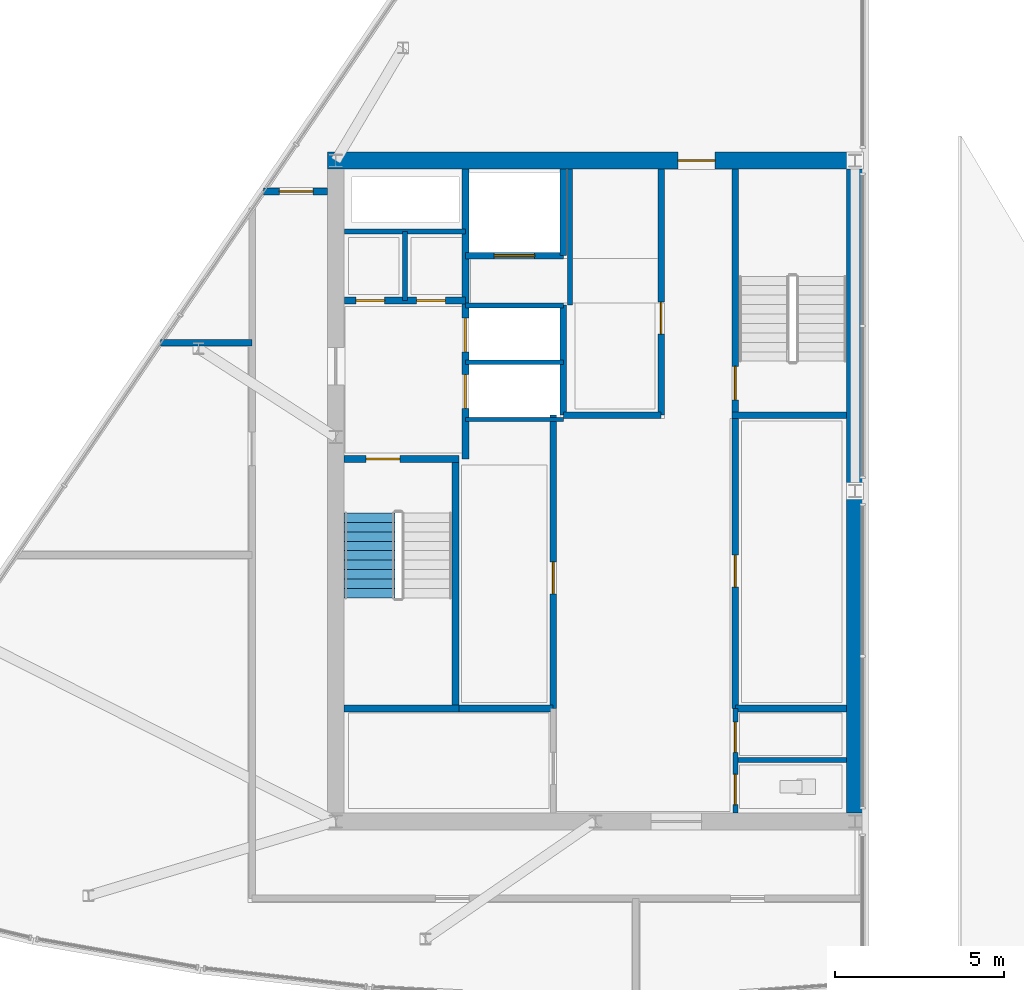
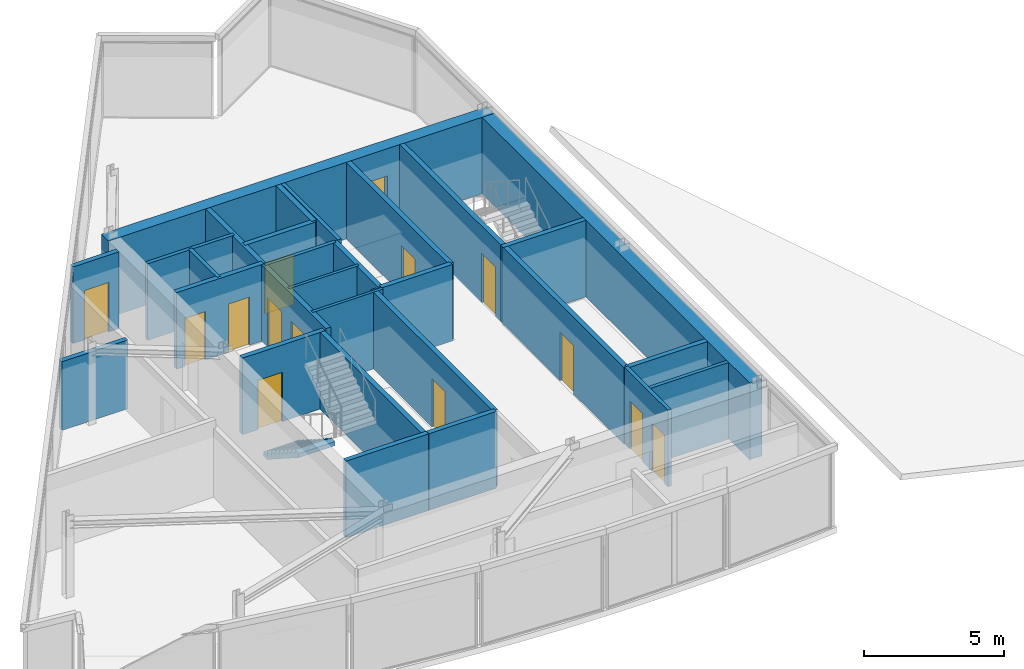
# One storey, part 5 of 10: 28 walls, 14 doors, 1 stair flight, 14 openings, 1 element without a shape of its own.
"""IFC4 building model written with IfcOpenShell, lengths in metres."""

from ifc_helpers import new_model, si_unit, direction, frame, frame_2d, origin, place, context, subcontext, project, spatial, polyline, rectangle, outline, extrude, material, layer, layer_set, type_object, element, fill, aggregate, save


model = new_model("IFC4")

# Units and contexts
model_context = context("Model", 3, precision=1e-05, world=origin(), true_north=direction((0.0, 1.0)))
body_context = subcontext(model_context, "Body", "Model", "MODEL_VIEW")
ifc_project = project(units=[si_unit("LENGTHUNIT", "METRE"), si_unit("AREAUNIT", "SQUARE_METRE"), si_unit("VOLUMEUNIT", "CUBIC_METRE"), si_unit("PLANEANGLEUNIT", "RADIAN"), si_unit("MASSUNIT", "GRAM", prefix="KILO")], contexts=[model_context])

# Site, building, storey
site_placement = place(None, origin())
site = spatial("IfcSite", under=ifc_project, at=site_placement, CompositionType="ELEMENT")
building_placement = place(site_placement, origin())
building = spatial("IfcBuilding", under=site, at=building_placement, Name="Savorim Split Tower", CompositionType="ELEMENT")
storey_placement = place(building_placement, frame((0.0, 0.0, 315.60009765625)))
storey = spatial("IfcBuildingStorey", under=building, at=storey_placement, Name="Crown L84 Plant", CompositionType="ELEMENT", Elevation=315.60009765625)

# Wall, opening, door
ifc_material_1 = material(Name="Concrete C60/75", Category="concrete")
ifc_layer_1 = layer(ifc_material_1, 0.5)
ifc_layer_set_1 = layer_set([ifc_layer_1], Name="WAL-COR-SH500")
wall_type_1 = type_object("IfcWallType", Name="WAL-COR-SH500", PredefinedType="SHEAR", material=ifc_layer_set_1)
wall_1_placement = place(storey_placement, frame((7.949951171875, 10.199951171875, 0.0), z_axis=(0.0, 0.0, 1.0), x_axis=(-1.0, 0.0, 0.0)))
wall_1 = element("IfcWall", 1, at=wall_1_placement, inside=storey, type_object=wall_type_1, Name="Crown L84 Plant Offset Core North Shear Wall", PredefinedType="SHEAR", context=body_context, shape_type="SweptSolid", body=[
    extrude(rectangle(XDim=15.89990234375, YDim=0.5, at=frame_2d((7.949951171875, 0.0))), origin(), (0.0, 0.0, 1.0), 3.33984375),
])
opening_1_placement = place(wall_1_placement, frame((4.39990234375, 0.0, 0.0)))
opening_1 = element("IfcOpeningElement", 2, at=opening_1_placement, cuts=wall_1, Name="Opening DI-03", PredefinedType="OPENING", context=body_context, shape_type="SweptSolid", body=[
    extrude(rectangle(XDim=1.10009765625, YDim=2.14990234375, at=frame_2d((0.550048828125, 1.074951171875))), frame((0.0, 0.260009765625, 0.0), z_axis=(0.0, -1.0, 0.0), x_axis=(1.0, 0.0, 0.0)), (0.0, 0.0, 1.0), 0.52001953125),
])
ifc_material_2 = material(Name="Timber Fire Door Leaf", Category="wood")
door_type_1 = type_object("IfcDoorType", Name="DOR-FIR-1100", OperationType="NOTDEFINED", PredefinedType="DOOR", material=ifc_material_2)
door_1_placement = place(opening_1_placement, origin())
door_1 = element("IfcDoor", 3, at=door_1_placement, inside=storey, type_object=door_type_1, Name="DOR-Crown-L84-Plant-COR-NLOB - Crown L84 Plant North Corridor Lobby Fire Door", OperationType="SINGLE_SWING_LEFT", OverallHeight=2.14990234375, OverallWidth=1.10009765625, PredefinedType="DOOR", context=body_context, shape_type="SweptSolid", body=[
    extrude(rectangle(XDim=1.10009765625, YDim=2.14990234375, at=frame_2d((0.550048828125, 1.074951171875))), frame((0.0, 0.02490234375, 0.0), z_axis=(0.0, -1.0, 0.0), x_axis=(1.0, 0.0, 0.0)), (0.0, 0.0, 1.0), 0.050048828125),
])
fill(opening_1, door_1)

# Wall
wall_2_placement = place(storey_placement, frame((7.699951171875, 9.949951171875, 0.0), z_axis=(0.0, 0.0, 1.0), x_axis=(0.0, -1.0, 0.0)))
element("IfcWall", 4, at=wall_2_placement, inside=storey, type_object=wall_type_1, Name="Crown L84 Plant Offset Core East Shear Wall", PredefinedType="SHEAR", context=body_context, shape_type="SweptSolid", body=[
    extrude(rectangle(XDim=19.099853515625, YDim=0.5, at=frame_2d((9.5498046875, 0.0))), origin(), (0.0, 0.0, 1.0), 3.33984375),
])

# Wall, opening, door
ifc_material_3 = material(Name="Concrete C50/60", Category="concrete")
ifc_layer_2 = layer(ifc_material_3, 0.199951171875)
ifc_layer_set_2 = layer_set([ifc_layer_2], Name="WAL-INT-RC200")
wall_type_2 = type_object("IfcWallType", Name="WAL-INT-RC200", PredefinedType="SOLIDWALL", material=ifc_layer_set_2)
wall_3_placement = place(storey_placement, frame((-7.449951171875, 1.35009765625, 0.0), z_axis=(0.0, 0.0, 1.0), x_axis=(1.0, 0.0, 0.0)))
wall_3 = element("IfcWall", 5, at=wall_3_placement, inside=storey, type_object=wall_type_2, Name="Crown L84 Plant Structural Shaft Wall W-Crown-L84-Plant-CR01", PredefinedType="SOLIDWALL", context=body_context, shape_type="SweptSolid", body=[
    extrude(rectangle(XDim=3.39990234375, YDim=0.199951171875, at=frame_2d((1.699951171875, 0.0))), origin(), (0.0, 0.0, 1.0), 3.33984375),
])
opening_2_placement = place(wall_3_placement, frame((0.64990234375, 0.0, 0.0)))
opening_2 = element("IfcOpeningElement", 6, at=opening_2_placement, cuts=wall_3, Name="Opening DI-04", PredefinedType="OPENING", context=body_context, shape_type="SweptSolid", body=[
    extrude(rectangle(XDim=1.0, YDim=2.14990234375, at=frame_2d((0.5, 1.074951171875))), frame((0.0, 0.10986328125, 0.0), z_axis=(0.0, -1.0, 0.0), x_axis=(1.0, 0.0, 0.0)), (0.0, 0.0, 1.0), 0.219970703125),
])
door_type_2 = type_object("IfcDoorType", Name="DOR-FIR-1000", OperationType="NOTDEFINED", PredefinedType="DOOR", material=ifc_material_2)
door_2_placement = place(opening_2_placement, origin())
door_2 = element("IfcDoor", 7, at=door_2_placement, inside=storey, type_object=door_type_2, Name="DR-Crown-L84-Plant-ST1 - Crown L84 Plant Stair ST-1 Enclosure Door", OperationType="SINGLE_SWING_LEFT", OverallHeight=2.14990234375, OverallWidth=1.0, PredefinedType="DOOR", context=body_context, shape_type="SweptSolid", body=[
    extrude(rectangle(XDim=1.0, YDim=2.14990234375, at=frame_2d((0.5, 1.074951171875))), frame((0.0, 0.02490234375, 0.0), z_axis=(0.0, -1.0, 0.0), x_axis=(1.0, 0.0, 0.0)), (0.0, 0.0, 1.0), 0.050048828125),
])
fill(opening_2, door_2)

# Wall
wall_4_placement = place(storey_placement, frame((-4.14990234375, -5.949951171875, 0.0), z_axis=(0.0, 0.0, 1.0), x_axis=(0.0, 1.0, 0.0)))
element("IfcWall", 8, at=wall_4_placement, inside=storey, type_object=wall_type_2, Name="Crown L84 Plant Structural Shaft Wall W-Crown-L84-Plant-CR02", PredefinedType="SOLIDWALL", context=body_context, shape_type="SweptSolid", body=[
    extrude(rectangle(XDim=7.199951171875, YDim=0.199951171875, at=frame_2d((3.60009765625, 0.0))), origin(), (0.0, 0.0, 1.0), 3.33984375),
])

# Wall, openings, doors
wall_5_placement = place(storey_placement, frame((-3.85009765625, 1.35009765625, 0.0), z_axis=(0.0, 0.0, 1.0), x_axis=(0.0, 1.0, 0.0)))
wall_5 = element("IfcWall", 9, at=wall_5_placement, inside=storey, type_object=wall_type_2, Name="Crown L84 Plant Partition W-Crown-L84-Plant-CR03", PredefinedType="SOLIDWALL", context=body_context, shape_type="SweptSolid", body=[
    extrude(rectangle(XDim=8.594970703125, YDim=0.199951171875, at=frame_2d((4.29736328125, 0.0))), origin(), (0.0, 0.0, 1.0), 3.33984375),
])
opening_3_placement = place(wall_5_placement, frame((1.5, 0.0, 0.0)))
opening_3 = element("IfcOpeningElement", 10, at=opening_3_placement, cuts=wall_5, Name="Opening LD-FFL", PredefinedType="OPENING", context=body_context, shape_type="SweptSolid", body=[
    extrude(rectangle(XDim=1.0, YDim=2.14990234375, at=frame_2d((0.5, 1.074951171875))), frame((0.0, 0.10986328125, 0.0), z_axis=(0.0, -1.0, 0.0), x_axis=(1.0, 0.0, 0.0)), (0.0, 0.0, 1.0), 0.219970703125),
])
opening_4_placement = place(wall_5_placement, frame((3.179931640625, 0.0, 0.0)))
opening_4 = element("IfcOpeningElement", 11, at=opening_4_placement, cuts=wall_5, Name="Opening LD-FFL", PredefinedType="OPENING", context=body_context, shape_type="SweptSolid", body=[
    extrude(rectangle(XDim=1.0, YDim=2.14990234375, at=frame_2d((0.5, 1.074951171875))), frame((0.0, 0.10986328125, 0.0), z_axis=(0.0, -1.0, 0.0), x_axis=(1.0, 0.0, 0.0)), (0.0, 0.0, 1.0), 0.219970703125),
])
ifc_material_4 = material(Name="Charcoal Anodised Aluminium", Category="aluminium")
door_type_3 = type_object("IfcDoorType", Name="DOR-SLD-LD1000", OperationType="NOTDEFINED", PredefinedType="DOOR", material=ifc_material_4)
door_3_placement = place(opening_3_placement, origin())
door_3 = element("IfcDoor", 12, at=door_3_placement, inside=storey, type_object=door_type_3, Name="DR-Crown-L84-Plant-LD-FFL1 - Crown L84 Plant Firefighting Lift FFL-1 Sliding Landing Door", OperationType="DOUBLE_DOOR_SLIDING", OverallHeight=2.14990234375, OverallWidth=1.0, PredefinedType="DOOR", context=body_context, shape_type="SweptSolid", body=[
    extrude(rectangle(XDim=1.0, YDim=2.14990234375, at=frame_2d((0.5, 1.074951171875))), frame((0.0, 0.02490234375, 0.0), z_axis=(0.0, -1.0, 0.0), x_axis=(1.0, 0.0, 0.0)), (0.0, 0.0, 1.0), 0.050048828125),
])
fill(opening_3, door_3)
door_4_placement = place(opening_4_placement, origin())
door_4 = element("IfcDoor", 13, at=door_4_placement, inside=storey, type_object=door_type_3, Name="DR-Crown-L84-Plant-LD-FFL2 - Crown L84 Plant Firefighting Lift FFL-2 Sliding Landing Door", OperationType="DOUBLE_DOOR_SLIDING", OverallHeight=2.14990234375, OverallWidth=1.0, PredefinedType="DOOR", context=body_context, shape_type="SweptSolid", body=[
    extrude(rectangle(XDim=1.0, YDim=2.14990234375, at=frame_2d((0.5, 1.074951171875))), frame((0.0, 0.02490234375, 0.0), z_axis=(0.0, -1.0, 0.0), x_axis=(1.0, 0.0, 0.0)), (0.0, 0.0, 1.0), 0.050048828125),
])
fill(opening_4, door_4)

wall_6_placement = place(storey_placement, frame((-7.445068359375, 6.050048828125, 0.0), z_axis=(0.0, 0.0, 1.0), x_axis=(1.0, 0.0, 0.0)))
wall_6 = element("IfcWall", 14, at=wall_6_placement, inside=storey, type_object=wall_type_2, Name="Crown L84 Plant Partition W-Crown-L84-Plant-CR04", PredefinedType="SOLIDWALL", context=body_context, shape_type="SweptSolid", body=[
    extrude(rectangle(XDim=3.594970703125, YDim=0.199951171875, at=frame_2d((1.79736328125, 0.0))), origin(), (0.0, 0.0, 1.0), 3.33984375),
])
opening_5_placement = place(wall_6_placement, frame((0.344970703125, 0.0, 0.0)))
opening_5 = element("IfcOpeningElement", 15, at=opening_5_placement, cuts=wall_6, Name="Opening DI-12", PredefinedType="OPENING", context=body_context, shape_type="SweptSolid", body=[
    extrude(rectangle(XDim=0.85009765625, YDim=2.10009765625, at=frame_2d((0.425048828125, 1.050048828125))), frame((0.0, 0.10986328125, 0.0), z_axis=(0.0, -1.0, 0.0), x_axis=(1.0, 0.0, 0.0)), (0.0, 0.0, 1.0), 0.219970703125),
])
opening_6_placement = place(wall_6_placement, frame((2.14501953125, 0.0, 0.0)))
opening_6 = element("IfcOpeningElement", 16, at=opening_6_placement, cuts=wall_6, Name="Opening DI-12", PredefinedType="OPENING", context=body_context, shape_type="SweptSolid", body=[
    extrude(rectangle(XDim=0.85009765625, YDim=2.10009765625, at=frame_2d((0.425048828125, 1.050048828125))), frame((0.0, 0.10986328125, 0.0), z_axis=(0.0, -1.0, 0.0), x_axis=(1.0, 0.0, 0.0)), (0.0, 0.0, 1.0), 0.219970703125),
])
ifc_material_5 = material(Name="Galvanised Painted Steel Balustrade", Category="steel")
door_type_4 = type_object("IfcDoorType", Name="DOR-RIS-850", OperationType="NOTDEFINED", PredefinedType="DOOR", material=ifc_material_5)
door_5_placement = place(opening_5_placement, origin())
door_5 = element("IfcDoor", 17, at=door_5_placement, inside=storey, type_object=door_type_4, Name="DR-Crown-L84-Plant-ELR - Crown L84 Plant Electrical Riser Access Door", OperationType="SINGLE_SWING_RIGHT", OverallHeight=2.10009765625, OverallWidth=0.85009765625, PredefinedType="DOOR", context=body_context, shape_type="SweptSolid", body=[
    extrude(rectangle(XDim=0.85009765625, YDim=2.10009765625, at=frame_2d((0.425048828125, 1.050048828125))), frame((0.0, 0.02490234375, 0.0), z_axis=(0.0, -1.0, 0.0), x_axis=(1.0, 0.0, 0.0)), (0.0, 0.0, 1.0), 0.050048828125),
])
fill(opening_5, door_5)
door_6_placement = place(opening_6_placement, origin())
door_6 = element("IfcDoor", 18, at=door_6_placement, inside=storey, type_object=door_type_4, Name="DR-Crown-L84-Plant-TLR - Crown L84 Plant Telecom Riser Access Door", OperationType="SINGLE_SWING_LEFT", OverallHeight=2.10009765625, OverallWidth=0.85009765625, PredefinedType="DOOR", context=body_context, shape_type="SweptSolid", body=[
    extrude(rectangle(XDim=0.85009765625, YDim=2.10009765625, at=frame_2d((0.425048828125, 1.050048828125))), frame((0.0, 0.02490234375, 0.0), z_axis=(0.0, -1.0, 0.0), x_axis=(1.0, 0.0, 0.0)), (0.0, 0.0, 1.0), 0.050048828125),
])
fill(opening_6, door_6)

# Wall, opening, door
wall_7_placement = place(storey_placement, frame((4.14990234375, 2.75, 0.0), z_axis=(0.0, 0.0, 1.0), x_axis=(0.0, 1.0, 0.0)))
wall_7 = element("IfcWall", 19, at=wall_7_placement, inside=storey, type_object=wall_type_2, Name="Crown L84 Plant Structural Shaft Wall W-Crown-L84-Plant-CR07", PredefinedType="SOLIDWALL", context=body_context, shape_type="SweptSolid", body=[
    extrude(rectangle(XDim=7.199951171875, YDim=0.199951171875, at=frame_2d((3.60009765625, 0.0))), origin(), (0.0, 0.0, 1.0), 3.33984375),
])
opening_7_placement = place(wall_7_placement, frame((0.35009765625, 0.0, 0.0)))
opening_7 = element("IfcOpeningElement", 20, at=opening_7_placement, cuts=wall_7, Name="Opening DI-04", PredefinedType="OPENING", context=body_context, shape_type="SweptSolid", body=[
    extrude(rectangle(XDim=1.0, YDim=2.14990234375, at=frame_2d((0.5, 1.074951171875))), frame((0.0, 0.10986328125, 0.0), z_axis=(0.0, -1.0, 0.0), x_axis=(1.0, 0.0, 0.0)), (0.0, 0.0, 1.0), 0.219970703125),
])
door_7_placement = place(opening_7_placement, origin())
door_7 = element("IfcDoor", 21, at=door_7_placement, inside=storey, type_object=door_type_2, Name="DR-Crown-L84-Plant-ST2 - Crown L84 Plant Stair ST-2 Enclosure Door", OperationType="SINGLE_SWING_RIGHT", OverallHeight=2.14990234375, OverallWidth=1.0, PredefinedType="DOOR", context=body_context, shape_type="SweptSolid", body=[
    extrude(rectangle(XDim=1.0, YDim=2.14990234375, at=frame_2d((0.5, 1.074951171875))), frame((0.0, 0.02490234375, 0.0), z_axis=(0.0, -1.0, 0.0), x_axis=(1.0, 0.0, 0.0)), (0.0, 0.0, 1.0), 0.050048828125),
])
fill(opening_7, door_7)

# Walls
wall_8_placement = place(storey_placement, frame((4.050048828125, 2.64990234375, 0.0), z_axis=(0.0, 0.0, 1.0), x_axis=(1.0, 0.0, 0.0)))
element("IfcWall", 22, at=wall_8_placement, inside=storey, type_object=wall_type_2, Name="Crown L84 Plant Structural Shaft Wall W-Crown-L84-Plant-CR08", PredefinedType="SOLIDWALL", context=body_context, shape_type="SweptSolid", body=[
    extrude(rectangle(XDim=3.39990234375, YDim=0.199951171875, at=frame_2d((1.699951171875, 0.0))), origin(), (0.0, 0.0, 1.0), 3.33984375),
])
wall_9_placement = place(storey_placement, frame((-0.949951171875, 2.64990234375, 0.0), z_axis=(0.0, 0.0, 1.0), x_axis=(0.0, 1.0, 0.0)))
element("IfcWall", 23, at=wall_9_placement, inside=storey, type_object=wall_type_2, Name="Crown L84 Plant Partition W-Crown-L84-Plant-FFLW", PredefinedType="SOLIDWALL", context=body_context, shape_type="SweptSolid", body=[
    extrude(rectangle(XDim=3.27001953125, YDim=0.199951171875, at=frame_2d((1.635009765625, 0.0))), origin(), (0.0, 0.0, 1.0), 3.33984375),
])

# Wall, opening, door
wall_10_placement = place(storey_placement, frame((-3.85009765625, 7.3798828125, 0.0), z_axis=(0.0, 0.0, 1.0), x_axis=(1.0, 0.0, 0.0)))
wall_10 = element("IfcWall", 24, at=wall_10_placement, inside=storey, type_object=wall_type_2, Name="Crown L84 Plant Partition W-Crown-L84-Plant-SVLS", PredefinedType="SOLIDWALL", context=body_context, shape_type="SweptSolid", body=[
    extrude(rectangle(XDim=2.900146484375, YDim=0.199951171875, at=frame_2d((1.4501953125, 0.0))), origin(), (0.0, 0.0, 1.0), 3.33984375),
])
opening_8_placement = place(wall_10_placement, frame((0.85009765625, 0.0, 0.0)))
opening_8 = element("IfcOpeningElement", 25, at=opening_8_placement, cuts=wall_10, Name="Opening LD-SV", PredefinedType="OPENING", context=body_context, shape_type="SweptSolid", body=[
    extrude(rectangle(XDim=1.199951171875, YDim=2.199951171875, at=frame_2d((0.60009765625, 1.10009765625))), frame((0.0, 0.10986328125, 0.0), z_axis=(0.0, -1.0, 0.0), x_axis=(1.0, 0.0, 0.0)), (0.0, 0.0, 1.0), 0.219970703125),
])
door_type_5 = type_object("IfcDoorType", Name="DOR-SLD-SV1200", OperationType="NOTDEFINED", PredefinedType="DOOR", material=ifc_material_4)
door_8_placement = place(opening_8_placement, origin())
door_8 = element("IfcDoor", 26, at=door_8_placement, inside=storey, type_object=door_type_5, Name="DR-Crown-L84-Plant-LD-SVL1 - Crown L84 Plant Service Lift SVL-1 Sliding Landing Door", OperationType="DOUBLE_DOOR_SLIDING", OverallHeight=2.199951171875, OverallWidth=1.199951171875, PredefinedType="DOOR", context=body_context, shape_type="SweptSolid", body=[
    extrude(rectangle(XDim=1.199951171875, YDim=2.199951171875, at=frame_2d((0.60009765625, 1.10009765625))), frame((0.0, 0.02490234375, 0.0), z_axis=(0.0, -1.0, 0.0), x_axis=(1.0, 0.0, 0.0)), (0.0, 0.0, 1.0), 0.050048828125),
])
fill(opening_8, door_8)

# Wall
wall_11_placement = place(storey_placement, frame((-0.949951171875, 7.3798828125, 0.0), z_axis=(0.0, 0.0, 1.0), x_axis=(0.0, 1.0, 0.0)))
element("IfcWall", 27, at=wall_11_placement, inside=storey, type_object=wall_type_2, Name="Crown L84 Plant Partition W-Crown-L84-Plant-SVLE", PredefinedType="SOLIDWALL", context=body_context, shape_type="SweptSolid", body=[
    extrude(rectangle(XDim=2.565185546875, YDim=0.199951171875, at=frame_2d((1.28271484375, 0.0))), origin(), (0.0, 0.0, 1.0), 3.33984375),
])

# Wall, opening, door
wall_12_placement = place(storey_placement, frame((4.14990234375, -6.050048828125, 0.0), z_axis=(0.0, 0.0, 1.0), x_axis=(0.0, 1.0, 0.0)))
wall_12 = element("IfcWall", 28, at=wall_12_placement, inside=storey, type_object=wall_type_2, Name="Crown L84 Plant Partition W-Crown-L84-Plant-B1FRONT", PredefinedType="SOLIDWALL", context=body_context, shape_type="SweptSolid", body=[
    extrude(rectangle(XDim=8.699951171875, YDim=0.199951171875, at=frame_2d((4.35009765625, 0.0))), origin(), (0.0, 0.0, 1.0), 3.33984375),
])
opening_9_placement = place(wall_12_placement, frame((3.60009765625, 0.0, 0.0)))
opening_9 = element("IfcOpeningElement", 29, at=opening_9_placement, cuts=wall_12, Name="Opening DI-05", PredefinedType="OPENING", context=body_context, shape_type="SweptSolid", body=[
    extrude(rectangle(XDim=0.949951171875, YDim=2.10009765625, at=frame_2d((0.47509765625, 1.050048828125))), frame((0.0, 0.10986328125, 0.0), z_axis=(0.0, -1.0, 0.0), x_axis=(1.0, 0.0, 0.0)), (0.0, 0.0, 1.0), 0.219970703125),
])
door_type_6 = type_object("IfcDoorType", Name="DOR-FIR-950", OperationType="NOTDEFINED", PredefinedType="DOOR", material=ifc_material_2)
door_9_placement = place(opening_9_placement, origin())
door_9 = element("IfcDoor", 30, at=door_9_placement, inside=storey, type_object=door_type_6, Name="DR-Crown-L84-Plant-B1SUB - Crown L84 Plant Core Store East Door", OperationType="SINGLE_SWING_RIGHT", OverallHeight=2.10009765625, OverallWidth=0.949951171875, PredefinedType="DOOR", context=body_context, shape_type="SweptSolid", body=[
    extrude(rectangle(XDim=0.949951171875, YDim=2.10009765625, at=frame_2d((0.47509765625, 1.050048828125))), frame((0.0, 0.02490234375, 0.0), z_axis=(0.0, -1.0, 0.0), x_axis=(1.0, 0.0, 0.0)), (0.0, 0.0, 1.0), 0.050048828125),
])
fill(opening_9, door_9)

wall_13_placement = place(storey_placement, frame((-1.25, -6.050048828125, 0.0), z_axis=(0.0, 0.0, 1.0), x_axis=(0.0, 1.0, 0.0)))
wall_13 = element("IfcWall", 31, at=wall_13_placement, inside=storey, type_object=wall_type_2, Name="Crown L84 Plant Partition W-Crown-L84-Plant-B2FRONT", PredefinedType="SOLIDWALL", context=body_context, shape_type="SweptSolid", body=[
    extrude(rectangle(XDim=8.699951171875, YDim=0.199951171875, at=frame_2d((4.35009765625, 0.0))), origin(), (0.0, 0.0, 1.0), 3.33984375),
])
opening_10_placement = place(wall_13_placement, frame((3.39990234375, 0.0, 0.0)))
opening_10 = element("IfcOpeningElement", 32, at=opening_10_placement, cuts=wall_13, Name="Opening DI-05", PredefinedType="OPENING", context=body_context, shape_type="SweptSolid", body=[
    extrude(rectangle(XDim=0.949951171875, YDim=2.10009765625, at=frame_2d((0.47509765625, 1.050048828125))), frame((0.0, 0.10986328125, 0.0), z_axis=(0.0, -1.0, 0.0), x_axis=(1.0, 0.0, 0.0)), (0.0, 0.0, 1.0), 0.219970703125),
])
door_10_placement = place(opening_10_placement, origin())
door_10 = element("IfcDoor", 33, at=door_10_placement, inside=storey, type_object=door_type_6, Name="DR-Crown-L84-Plant-B2SUB - Crown L84 Plant Core Store West Door", OperationType="SINGLE_SWING_LEFT", OverallHeight=2.10009765625, OverallWidth=0.949951171875, PredefinedType="DOOR", context=body_context, shape_type="SweptSolid", body=[
    extrude(rectangle(XDim=0.949951171875, YDim=2.10009765625, at=frame_2d((0.47509765625, 1.050048828125))), frame((0.0, 0.02490234375, 0.0), z_axis=(0.0, -1.0, 0.0), x_axis=(1.0, 0.0, 0.0)), (0.0, 0.0, 1.0), 0.050048828125),
])
fill(opening_10, door_10)

wall_14_placement = place(storey_placement, frame((1.949951171875, 2.64990234375, 0.0), z_axis=(0.0, 0.0, 1.0), x_axis=(0.0, 1.0, 0.0)))
wall_14 = element("IfcWall", 34, at=wall_14_placement, inside=storey, type_object=wall_type_2, Name="Crown L84 Plant Partition W-Crown-L84-Plant-B3FRONT", PredefinedType="SOLIDWALL", context=body_context, shape_type="SweptSolid", body=[
    extrude(rectangle(XDim=7.295166015625, YDim=0.199951171875, at=frame_2d((3.6474609375, 0.0))), origin(), (0.0, 0.0, 1.0), 3.33984375),
])
opening_11_placement = place(wall_14_placement, frame((2.39990234375, 0.0, 0.0)))
opening_11 = element("IfcOpeningElement", 35, at=opening_11_placement, cuts=wall_14, Name="Opening DI-05", PredefinedType="OPENING", context=body_context, shape_type="SweptSolid", body=[
    extrude(rectangle(XDim=0.949951171875, YDim=2.10009765625, at=frame_2d((0.47509765625, 1.050048828125))), frame((0.0, 0.10986328125, 0.0), z_axis=(0.0, -1.0, 0.0), x_axis=(1.0, 0.0, 0.0)), (0.0, 0.0, 1.0), 0.219970703125),
])
door_11_placement = place(opening_11_placement, origin())
door_11 = element("IfcDoor", 36, at=door_11_placement, inside=storey, type_object=door_type_6, Name="DR-Crown-L84-Plant-B3CRN - Crown L84 Plant Crown BMS Plant Room Door", OperationType="SINGLE_SWING_LEFT", OverallHeight=2.10009765625, OverallWidth=0.949951171875, PredefinedType="DOOR", context=body_context, shape_type="SweptSolid", body=[
    extrude(rectangle(XDim=0.949951171875, YDim=2.10009765625, at=frame_2d((0.47509765625, 1.050048828125))), frame((0.0, 0.02490234375, 0.0), z_axis=(0.0, -1.0, 0.0), x_axis=(1.0, 0.0, 0.0)), (0.0, 0.0, 1.0), 0.050048828125),
])
fill(opening_11, door_11)

# Walls
wall_15_placement = place(storey_placement, frame((-0.949951171875, 2.64990234375, 0.0), z_axis=(0.0, 0.0, 1.0), x_axis=(1.0, 0.0, 0.0)))
element("IfcWall", 37, at=wall_15_placement, inside=storey, type_object=wall_type_2, Name="Crown L84 Plant Partition W-Crown-L84-Plant-B3SOUTH", PredefinedType="SOLIDWALL", context=body_context, shape_type="SweptSolid", body=[
    extrude(rectangle(XDim=2.89990234375, YDim=0.199951171875, at=frame_2d((1.449951171875, 0.0))), origin(), (0.0, 0.0, 1.0), 3.33984375),
])
wall_16_placement = place(storey_placement, frame((-7.449951171875, -6.050048828125, 0.0), z_axis=(0.0, 0.0, 1.0), x_axis=(1.0, 0.0, 0.0)))
element("IfcWall", 38, at=wall_16_placement, inside=storey, type_object=wall_type_2, Name="Crown L84 Plant Structural Shaft Wall W-Crown-L84-Plant-KSEP-W", PredefinedType="SOLIDWALL", context=body_context, shape_type="SweptSolid", body=[
    extrude(rectangle(XDim=3.39990234375, YDim=0.199951171875, at=frame_2d((1.699951171875, 0.0))), origin(), (0.0, 0.0, 1.0), 3.33984375),
])
wall_17_placement = place(storey_placement, frame((-4.0400390625, -6.050048828125, 0.0), z_axis=(0.0, 0.0, 1.0), x_axis=(1.0, 0.0, 0.0)))
element("IfcWall", 39, at=wall_17_placement, inside=storey, type_object=wall_type_2, Name="Crown L84 Plant Partition W-Crown-L84-Plant-KSEP-W2", PredefinedType="SOLIDWALL", context=body_context, shape_type="SweptSolid", body=[
    extrude(rectangle(XDim=2.7900390625, YDim=0.199951171875, at=frame_2d((1.39501953125, 0.0))), origin(), (0.0, 0.0, 1.0), 3.33984375),
])
wall_18_placement = place(storey_placement, frame((4.14990234375, -6.050048828125, 0.0), z_axis=(0.0, 0.0, 1.0), x_axis=(1.0, 0.0, 0.0)))
element("IfcWall", 40, at=wall_18_placement, inside=storey, type_object=wall_type_2, Name="Crown L84 Plant Partition W-Crown-L84-Plant-KSEP-E", PredefinedType="SOLIDWALL", context=body_context, shape_type="SweptSolid", body=[
    extrude(rectangle(XDim=3.295166015625, YDim=0.199951171875, at=frame_2d((1.6474609375, 0.0))), origin(), (0.0, 0.0, 1.0), 3.33984375),
])

# Wall, opening, door
wall_19_placement = place(storey_placement, frame((-9.847900390625, 9.280029296875, 0.0), z_axis=(0.0, 0.0, 1.0), x_axis=(1.0, 0.0, 0.0)))
wall_19 = element("IfcWall", 41, at=wall_19_placement, inside=storey, type_object=wall_type_2, Name="Crown L84 Plant Partition W-Crown-L84-Plant-CWPC3", PredefinedType="SOLIDWALL", context=body_context, shape_type="SweptSolid", body=[
    extrude(rectangle(XDim=1.89794921875, YDim=0.199951171875, at=frame_2d((0.948974609375, 0.0))), origin(), (0.0, 0.0, 1.0), 3.33984375),
])
opening_12_placement = place(wall_19_placement, frame((0.473876953125, 0.0, 0.0)))
opening_12 = element("IfcOpeningElement", 42, at=opening_12_placement, cuts=wall_19, Name="Opening DI-04", PredefinedType="OPENING", context=body_context, shape_type="SweptSolid", body=[
    extrude(rectangle(XDim=1.0, YDim=2.14990234375, at=frame_2d((0.5, 1.074951171875))), frame((0.0, 0.10986328125, 0.0), z_axis=(0.0, -1.0, 0.0), x_axis=(1.0, 0.0, 0.0)), (0.0, 0.0, 1.0), 0.219970703125),
])
door_12_placement = place(opening_12_placement, origin())
door_12 = element("IfcDoor", 43, at=door_12_placement, inside=storey, type_object=door_type_2, Name="DR-Crown-L84-Plant-RM03 - Crown L84 Plant Booster Pump Plant Room Entry Door", OperationType="SINGLE_SWING_RIGHT", OverallHeight=2.14990234375, OverallWidth=1.0, PredefinedType="DOOR", context=body_context, shape_type="SweptSolid", body=[
    extrude(rectangle(XDim=1.0, YDim=2.14990234375, at=frame_2d((0.5, 1.074951171875))), frame((0.0, 0.02490234375, 0.0), z_axis=(0.0, -1.0, 0.0), x_axis=(1.0, 0.0, 0.0)), (0.0, 0.0, 1.0), 0.050048828125),
])
fill(opening_12, door_12)

# Walls
wall_20_placement = place(storey_placement, frame((-12.8955078125, 4.800048828125, 0.0), z_axis=(0.0, 0.0, 1.0), x_axis=(1.0, 0.0, 0.0)))
element("IfcWall", 44, at=wall_20_placement, inside=storey, type_object=wall_type_2, Name="Crown L84 Plant Partition W-Crown-L84-Plant-CDIV2", PredefinedType="SOLIDWALL", context=body_context, shape_type="SweptSolid", body=[
    extrude(rectangle(XDim=2.715576171875, YDim=0.199951171875, at=frame_2d((1.35791015625, 0.0))), origin(), (0.0, 0.0, 1.0), 2.994873046875),
])
ifc_material_6 = material(Name="Acoustic Gypsum Partition Board")
ifc_layer_3 = layer(ifc_material_6, 0.1201171875)
ifc_layer_set_3 = layer_set([ifc_layer_3], Name="WAL-PAR-120")
wall_type_3 = type_object("IfcWallType", Name="WAL-PAR-120", PredefinedType="PARTITIONING", material=ifc_layer_set_3)
for number, where, z_axis, x_axis, name in (
    (45, (-3.85009765625, 2.52001953125, 0.0), (0.0, 0.0, 1.0), (1.0, 0.0, 0.0), "Crown L84 Plant Partition W-Crown-L84-Plant-FFLD0"),
    (46, (-3.85009765625, 4.219970703125, 0.0), (0.0, 0.0, 1.0), (1.0, 0.0, 0.0), "Crown L84 Plant Partition W-Crown-L84-Plant-FFLD1"),
):
    element("IfcWall", number, at=place(storey_placement, frame(where, z_axis=z_axis, x_axis=x_axis)), inside=storey, type_object=wall_type_3, Name=name, PredefinedType="PARTITIONING", context=body_context, shape_type="SweptSolid", body=[
        extrude(rectangle(XDim=2.900146484375, YDim=0.1201171875, at=frame_2d((1.4501953125, 0.0))), origin(), (0.0, 0.0, 1.0), 3.33984375),
    ])
ifc_layer_4 = layer(ifc_material_6, 0.14990234375)
ifc_layer_set_4 = layer_set([ifc_layer_4], Name="WAL-PAR-150")
wall_type_4 = type_object("IfcWallType", Name="WAL-PAR-150", PredefinedType="PARTITIONING", material=ifc_layer_set_4)
wall_21_placement = place(storey_placement, frame((-7.445068359375, 8.10009765625, 0.0), z_axis=(0.0, 0.0, 1.0), x_axis=(1.0, 0.0, 0.0)))
element("IfcWall", 47, at=wall_21_placement, inside=storey, type_object=wall_type_4, Name="Crown L84 Plant Partition W-Crown-L84-Plant-CR05", PredefinedType="PARTITIONING", context=body_context, shape_type="SweptSolid", body=[
    extrude(rectangle(XDim=3.594970703125, YDim=0.14990234375, at=frame_2d((1.79736328125, 0.0))), origin(), (0.0, 0.0, 1.0), 3.33984375),
])
wall_22_placement = place(storey_placement, frame((-5.64990234375, 6.050048828125, 0.0), z_axis=(0.0, 0.0, 1.0), x_axis=(0.0, 1.0, 0.0)))
element("IfcWall", 48, at=wall_22_placement, inside=storey, type_object=wall_type_4, Name="Crown L84 Plant Partition W-Crown-L84-Plant-CR06", PredefinedType="PARTITIONING", context=body_context, shape_type="SweptSolid", body=[
    extrude(rectangle(XDim=2.050048828125, YDim=0.14990234375, at=frame_2d((1.02490234375, 0.0))), origin(), (0.0, 0.0, 1.0), 3.33984375),
])
wall_23_placement = place(storey_placement, frame((-3.85009765625, 5.89990234375, 0.0), z_axis=(0.0, 0.0, 1.0), x_axis=(1.0, 0.0, 0.0)))
element("IfcWall", 49, at=wall_23_placement, inside=storey, type_object=wall_type_4, Name="Crown L84 Plant Partition W-Crown-L84-Plant-FFLD2", PredefinedType="PARTITIONING", context=body_context, shape_type="SweptSolid", body=[
    extrude(rectangle(XDim=2.900146484375, YDim=0.14990234375, at=frame_2d((1.4501953125, 0.0))), origin(), (0.0, 0.0, 1.0), 3.33984375),
])
wall_24_placement = place(storey_placement, frame((-0.75, 5.919921875, 0.0), z_axis=(0.0, 0.0, 1.0), x_axis=(0.0, 1.0, 0.0)))
element("IfcWall", 50, at=wall_24_placement, inside=storey, type_object=wall_type_4, Name="Crown L84 Plant Partition W-Crown-L84-Plant-B3WEST", PredefinedType="PARTITIONING", context=body_context, shape_type="SweptSolid", body=[
    extrude(rectangle(XDim=4.025146484375, YDim=0.14990234375, at=frame_2d((2.0126953125, 0.0))), origin(), (0.0, 0.0, 1.0), 3.33984375),
])

# Wall, openings, doors
wall_25_placement = place(storey_placement, frame((4.14990234375, -9.14501953125, 0.0), z_axis=(0.0, 0.0, 1.0), x_axis=(0.0, 1.0, 0.0)))
wall_25 = element("IfcWall", 51, at=wall_25_placement, inside=storey, type_object=wall_type_4, Name="Crown L84 Plant Partition W-Crown-L84-Plant-KLOB-E", PredefinedType="PARTITIONING", context=body_context, shape_type="SweptSolid", body=[
    extrude(rectangle(XDim=3.094970703125, YDim=0.14990234375, at=frame_2d((1.54736328125, 0.0))), origin(), (0.0, 0.0, 1.0), 3.33984375),
])
opening_13_placement = place(wall_25_placement, frame((0.2451171875, 0.0, 0.0)))
opening_13 = element("IfcOpeningElement", 52, at=opening_13_placement, cuts=wall_25, Name="Opening DI-11", PredefinedType="OPENING", context=body_context, shape_type="SweptSolid", body=[
    extrude(rectangle(XDim=0.89990234375, YDim=2.10009765625, at=frame_2d((0.449951171875, 1.050048828125))), frame((0.0, 0.0849609375, 0.0), z_axis=(0.0, -1.0, 0.0), x_axis=(1.0, 0.0, 0.0)), (0.0, 0.0, 1.0), 0.169921875),
])
opening_14_placement = place(wall_25_placement, frame((1.794921875, 0.0, 0.0)))
opening_14 = element("IfcOpeningElement", 53, at=opening_14_placement, cuts=wall_25, Name="Opening DI-06", PredefinedType="OPENING", context=body_context, shape_type="SweptSolid", body=[
    extrude(rectangle(XDim=0.89990234375, YDim=2.10009765625, at=frame_2d((0.449951171875, 1.050048828125))), frame((0.0, 0.0849609375, 0.0), z_axis=(0.0, -1.0, 0.0), x_axis=(1.0, 0.0, 0.0)), (0.0, 0.0, 1.0), 0.169921875),
])
door_type_7 = type_object("IfcDoorType", Name="DOR-FIR-900", OperationType="NOTDEFINED", PredefinedType="DOOR", material=ifc_material_2)
door_13_placement = place(opening_14_placement, origin())
door_13 = element("IfcDoor", 54, at=door_13_placement, inside=storey, type_object=door_type_7, Name="DR-Crown-L84-Plant-K3LCK - Crown L84 Plant Cleaning Store Door", OperationType="SINGLE_SWING_LEFT", OverallHeight=2.10009765625, OverallWidth=0.89990234375, PredefinedType="DOOR", context=body_context, shape_type="SweptSolid", body=[
    extrude(rectangle(XDim=0.89990234375, YDim=2.10009765625, at=frame_2d((0.449951171875, 1.050048828125))), frame((0.0, 0.02490234375, 0.0), z_axis=(0.0, -1.0, 0.0), x_axis=(1.0, 0.0, 0.0)), (0.0, 0.0, 1.0), 0.050048828125),
])
fill(opening_14, door_13)
ifc_material_7 = material(Name="Oak Veneer Acoustic Door")
door_type_8 = type_object("IfcDoorType", Name="DOR-WC-900", OperationType="NOTDEFINED", PredefinedType="DOOR", material=ifc_material_7)
door_14_placement = place(opening_13_placement, origin())
door_14 = element("IfcDoor", 55, at=door_14_placement, inside=storey, type_object=door_type_8, Name="DR-Crown-L84-Plant-K3AWC - Crown L84 Plant Core Accessible WC Door", OperationType="SINGLE_SWING_RIGHT", OverallHeight=2.10009765625, OverallWidth=0.89990234375, PredefinedType="DOOR", context=body_context, shape_type="SweptSolid", body=[
    extrude(rectangle(XDim=0.89990234375, YDim=2.10009765625, at=frame_2d((0.449951171875, 1.050048828125))), frame((0.0, 0.02490234375, 0.0), z_axis=(0.0, -1.0, 0.0), x_axis=(1.0, 0.0, 0.0)), (0.0, 0.0, 1.0), 0.050048828125),
])
fill(opening_13, door_14)

# Wall
wall_26_placement = place(storey_placement, frame((4.14990234375, -7.580078125, 0.0), z_axis=(0.0, 0.0, 1.0), x_axis=(1.0, 0.0, 0.0)))
element("IfcWall", 56, at=wall_26_placement, inside=storey, type_object=wall_type_4, Name="Crown L84 Plant Partition W-Crown-L84-Plant-K3H", PredefinedType="PARTITIONING", context=body_context, shape_type="SweptSolid", body=[
    extrude(rectangle(XDim=3.295166015625, YDim=0.14990234375, at=frame_2d((1.6474609375, 0.0))), origin(), (0.0, 0.0, 1.0), 3.33984375),
])

# Stair, stair flight
stair_type = type_object("IfcStairType", Name="STR-DOG-3600", PredefinedType="HALF_TURN_STAIR", material=ifc_material_3)
stair_placement = place(storey_placement, origin())
stair = element("IfcStair", 57, at=stair_placement, inside=storey, type_object=stair_type, Name="Crown L84 Plant Core Protected Exit Stair ST-1", PredefinedType="HALF_TURN_STAIR")
stair_flight_type = type_object("IfcStairFlightType", Name="SFL-DOG-3600", PredefinedType="STRAIGHT", material=ifc_material_3)
stair_flight_placement = place(storey_placement, frame((-6.699951171875, -0.25, 0.0), z_axis=(0.0, 0.0, 1.0), x_axis=(0.0, -1.0, 0.0)))
stair_flight = element("IfcStairFlight", 58, at=stair_flight_placement, type_object=stair_flight_type, Name="ST-1 flight 1", NumberOfRisers=10, NumberOfTreads=9, PredefinedType="STRAIGHT", RiserHeight=0.18, TreadLength=0.28, context=body_context, shape_type="SweptSolid", body=[
    extrude(outline(polyline([(0.0, 0.0), (0.0, 0.179931640625), (0.280029296875, 0.179931640625), (0.280029296875, 0.360107421875), (0.56005859375, 0.360107421875), (0.56005859375, 0.5400390625), (0.840087890625, 0.5400390625), (0.840087890625, 0.719970703125), (1.1201171875, 0.719970703125), (1.1201171875, 0.89990234375), (1.39990234375, 0.89990234375), (1.39990234375, 1.080078125), (1.679931640625, 1.080078125), (1.679931640625, 1.260009765625), (1.9599609375, 1.260009765625), (1.9599609375, 1.43994140625), (2.239990234375, 1.43994140625), (2.239990234375, 1.6201171875), (2.52001953125, 1.6201171875), (2.52001953125, 1.800048828125), (2.52001953125, 1.44189453125), (0.277099609375, 0.0), (0.0, 0.0)])), frame((0.0, 0.75, 0.0), z_axis=(0.0, -1.0, 0.0), x_axis=(1.0, 0.0, 0.0)), (0.0, 0.0, 1.0), 1.5),
])
aggregate(stair, [stair_flight])

save(model, "model.ifc")
